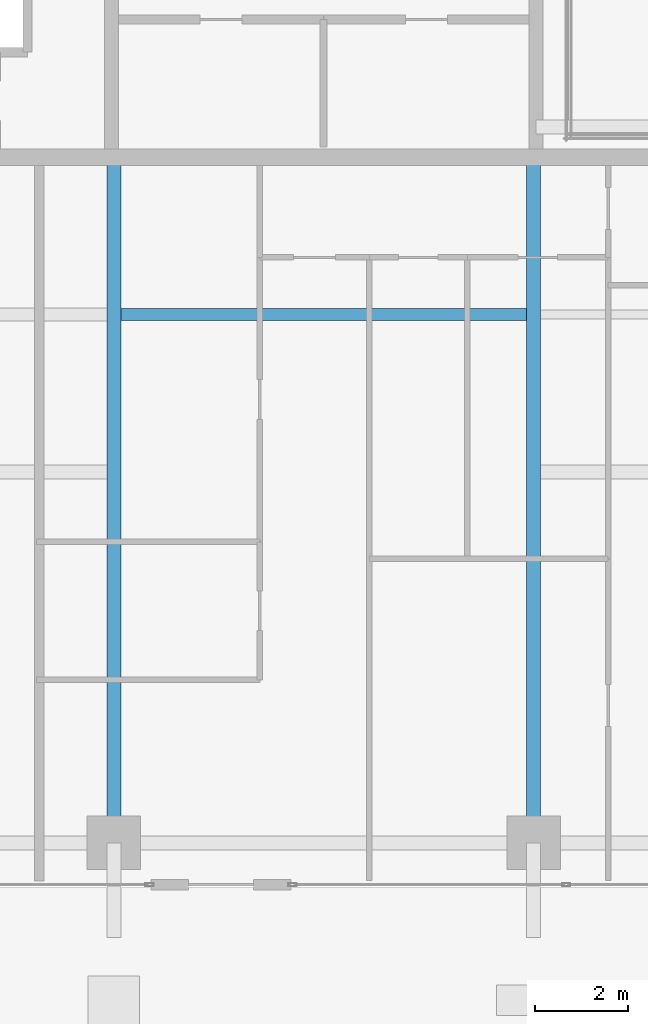
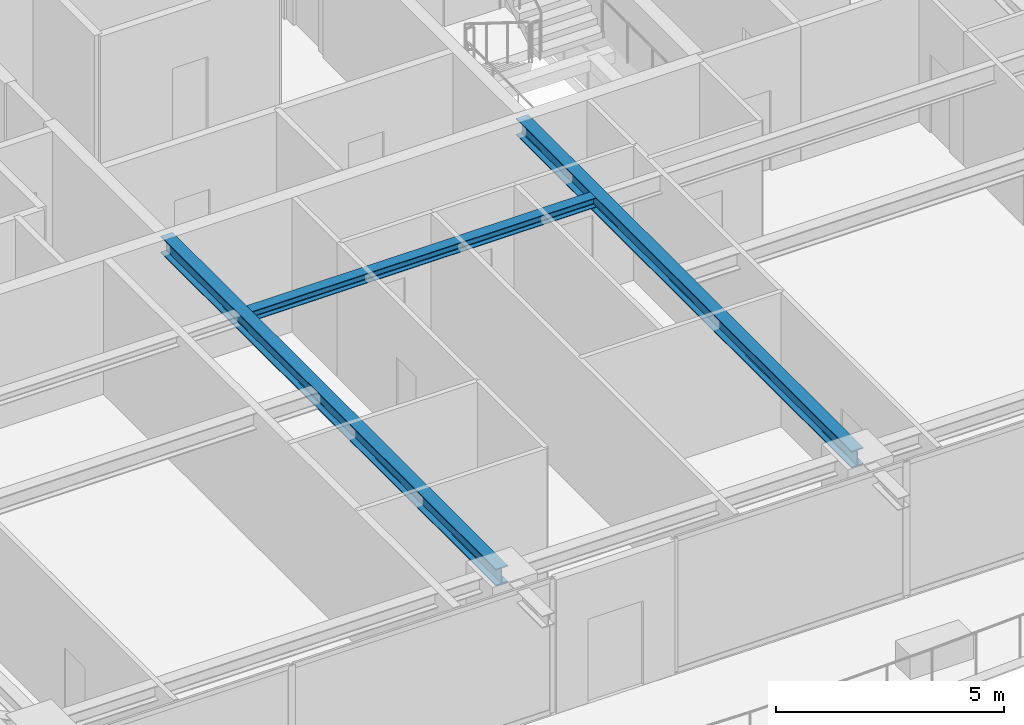
# One storey, part 6 of 37: 3 beams.
"""IFC4 building model written with IfcOpenShell, lengths in metres."""

from ifc_helpers import new_model, si_unit, direction, frame, origin, origin_2d, place, context, subcontext, project, spatial, i_section, extrude, source, transform, mapped, material, material_profile, profile_set, type_object, element, save


model = new_model("IFC4")

# Units and contexts
model_context = context("Model", 3, precision=1e-05, world=origin(), true_north=direction((0.0, 1.0)))
body_context = subcontext(model_context, "Body", "Model", "MODEL_VIEW")
ifc_project = project(units=[si_unit("LENGTHUNIT", "METRE"), si_unit("AREAUNIT", "SQUARE_METRE"), si_unit("VOLUMEUNIT", "CUBIC_METRE"), si_unit("PLANEANGLEUNIT", "RADIAN"), si_unit("MASSUNIT", "GRAM", prefix="KILO")], contexts=[model_context])

# Site, building, storey
site_placement = place(None, origin())
site = spatial("IfcSite", under=ifc_project, at=site_placement, CompositionType="ELEMENT")
building_placement = place(site_placement, origin())
building = spatial("IfcBuilding", under=site, at=building_placement, Name="Serunith Strait Residences", CompositionType="ELEMENT")
storey_placement = place(building_placement, frame((0.0, 0.0, 275.89990234375)))
storey = spatial("IfcBuildingStorey", under=building, at=storey_placement, Name="L69", CompositionType="ELEMENT", Elevation=275.89990234375)

# Beams
ifc_material = material(Name="Steel S355J2", Category="steel")
ifc_material_profile_1 = material_profile(ifc_material, i_section(OverallWidth=0.260009765625, OverallDepth=0.260009765625, WebThickness=0.010009765625, FlangeThickness=0.017578125, FilletRadius=0.02392578125, at=origin_2d()), Name="HEB 260")
ifc_profile_set_1 = profile_set([ifc_material_profile_1], Name="Steel S355J2")
beam_type_1 = type_object("IfcBeamType", Name="BM-HEB260", PredefinedType="JOIST", material=ifc_profile_set_1)
shared_shape_1 = source(origin(), body_context, "Body", "SweptSolid", [
    extrude(i_section(OverallWidth=0.260009765625, OverallDepth=0.260009765625, WebThickness=0.010009765625, FlangeThickness=0.017578125, FilletRadius=0.02392578125, at=origin_2d()), origin(), (0.0, 0.0, 1.0), 8.699951171875),
])
beam_placement = place(storey_placement, frame((28.050048828125, 13.425048828125, 3.45703125), z_axis=(1.0, 0.0, 0.0), x_axis=(0.0, 1.0, 0.0)))
element("IfcBeam", 1, at=beam_placement, inside=storey, type_object=beam_type_1, Name="L69 Composite Floor Joist 02", PredefinedType="JOIST", context=body_context, shape_type="MappedRepresentation", body=[
    mapped(shared_shape_1, transform((0.0, 0.0, 0.0), scale=1.0)),
])
ifc_material_profile_2 = material_profile(ifc_material, i_section(OverallWidth=0.300048828125, OverallDepth=0.449951171875, WebThickness=0.013916015625, FlangeThickness=0.02587890625, FilletRadius=0.027099609375, at=origin_2d()), Name="HEB 450")
ifc_profile_set_2 = profile_set([ifc_material_profile_2], Name="Steel S355J2")
beam_type_2 = type_object("IfcBeamType", Name="BM-HEB450", PredefinedType="BEAM", material=ifc_profile_set_2)
shared_shape_2 = source(origin(), body_context, "Body", "SweptSolid", [
    extrude(i_section(OverallWidth=0.300048828125, OverallDepth=0.449951171875, WebThickness=0.013916015625, FlangeThickness=0.02587890625, FilletRadius=0.027099609375, at=origin_2d()), origin(), (0.0, 0.0, 1.0), 14.699951171875),
])
for number, where, z_axis, x_axis, name in (
    (2, (27.89990234375, 16.800048828125, 3.362060546875), (0.0, -1.0, 0.0), (1.0, 0.0, 0.0), "L69 Primary Floor Girder TC-S2"),
    (3, (36.89990234375, 16.800048828125, 3.362060546875), (0.0, -1.0, 0.0), (1.0, 0.0, 0.0), "L69 Primary Floor Girder TC-S3"),
):
    element("IfcBeam", number, at=place(storey_placement, frame(where, z_axis=z_axis, x_axis=x_axis)), inside=storey, type_object=beam_type_2, Name=name, PredefinedType="BEAM", context=body_context, shape_type="MappedRepresentation", body=[
        mapped(shared_shape_2, transform((0.0, 0.0, 0.0), scale=1.0)),
    ])

save(model, "model.ifc")
